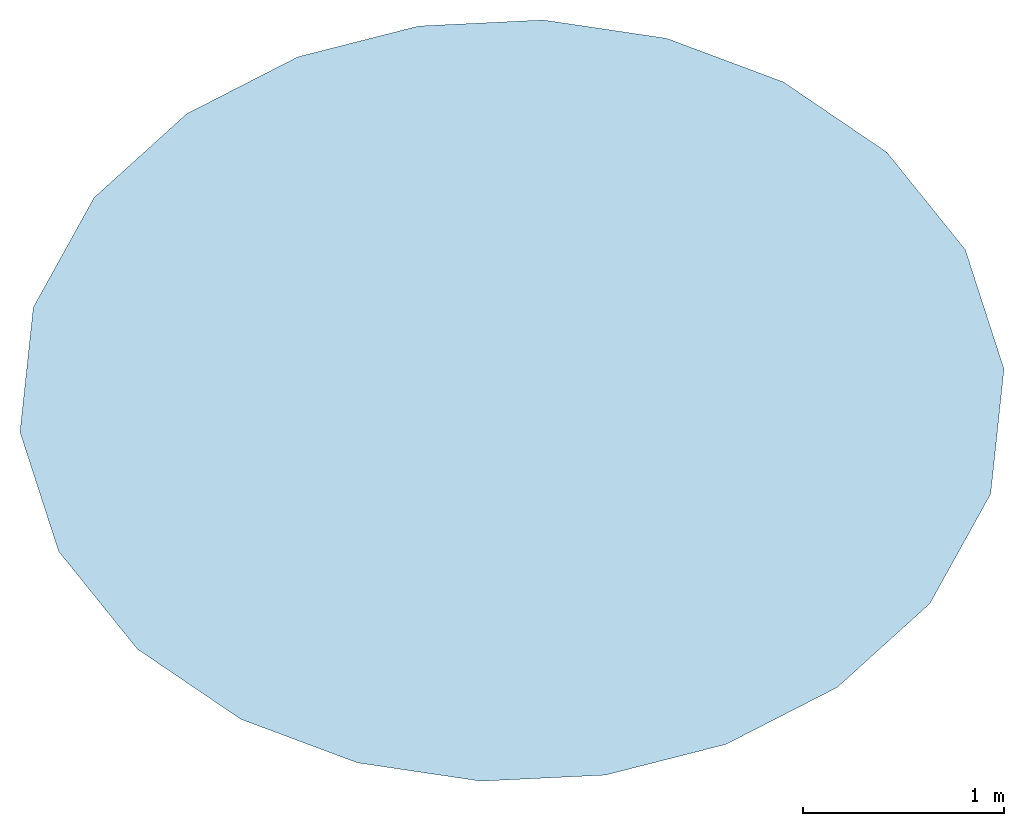
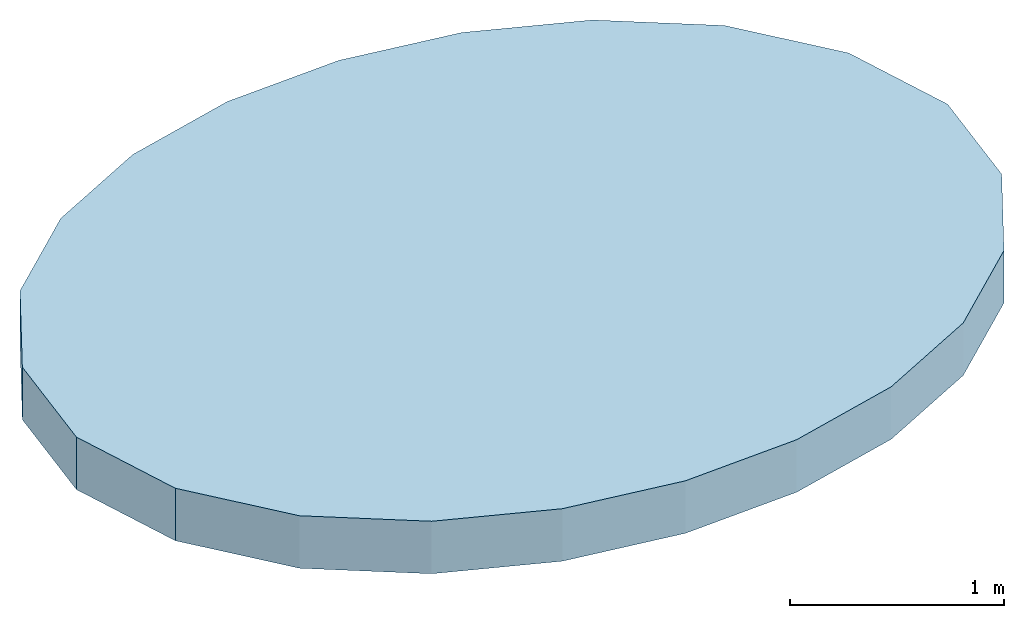
# One storey: 1 slab.
"""IFC4 building model written with IfcOpenShell, lengths in metres."""

from ifc_helpers import new_model, si_unit, direction, frame, origin, place, context, subcontext, project, spatial, polyline, outline, extrude, source, transform, mapped, material, layer, layer_set, type_object, element, save


model = new_model("IFC4")

# Units and contexts
model_context = context("Model", 3, precision=1e-05, world=origin(), true_north=direction((0.0, 1.0)))
body_context = subcontext(model_context, "Body", "Model", "MODEL_VIEW")
ifc_project = project(units=[si_unit("LENGTHUNIT", "METRE"), si_unit("AREAUNIT", "SQUARE_METRE"), si_unit("VOLUMEUNIT", "CUBIC_METRE"), si_unit("PLANEANGLEUNIT", "RADIAN"), si_unit("MASSUNIT", "GRAM", prefix="KILO")], contexts=[model_context])

# Site, building, storey
site_placement = place(None, origin())
site = spatial("IfcSite", under=ifc_project, at=site_placement, CompositionType="ELEMENT")
building_placement = place(site_placement, origin())
building = spatial("IfcBuilding", under=site, at=building_placement, Name="Embergate Tower", CompositionType="ELEMENT")
storey_placement = place(building_placement, frame((0.0, 0.0, 382.199951171875)))
storey = spatial("IfcBuildingStorey", under=building, at=storey_placement, Name="Upper roof", CompositionType="ELEMENT", Elevation=382.199951171875)

# Slab
ifc_material = material(Name="Concrete C50", Category="concrete")
ifc_layer = layer(ifc_material, 0.300048828125)
ifc_layer_set = layer_set([ifc_layer], Name="Concrete C50")
slab_type = type_object("IfcSlabType", Name="Crown apex cap", PredefinedType="ROOF", material=ifc_layer_set)
shared_shape = source(origin(), body_context, "Body", "SweptSolid", [
    extrude(outline(polyline([(0.0, 0.0), (0.619140625, 0.030029296875), (1.218994140625, 0.18310546875), (1.77197265625, 0.466064453125), (2.23291015625, 0.883056640625), (2.534912109375, 1.427978515625), (2.60107421875, 2.049072265625), (2.408935546875, 2.64208984375), (2.01806640625, 3.127197265625), (1.504150390625, 3.47607421875), (0.923095703125, 3.693115234375), (0.31005859375, 3.7841796875), (-0.30908203125, 3.754150390625), (-0.908935546875, 3.60107421875), (-1.4619140625, 3.318115234375), (-1.9228515625, 2.901123046875), (-2.224853515625, 2.356201171875), (-2.291015625, 1.735107421875), (-2.098876953125, 1.14208984375), (-1.7080078125, 0.656982421875), (-1.194091796875, 0.30810546875), (-0.613037109375, 0.091064453125), (0.0, 0.0)])), origin(), (0.0, 0.0, 1.0), 0.300048828125),
])
slab_placement = place(storey_placement, frame((-0.155029296875, -1.89208984375, 0.0)))
element("IfcSlab", 1, at=slab_placement, inside=storey, type_object=slab_type, Name="CRN-CAP-01", PredefinedType="ROOF", context=body_context, shape_type="MappedRepresentation", body=[
    mapped(shared_shape, transform((0.0, 0.0, 0.0))),
])

save(model, "model.ifc")
